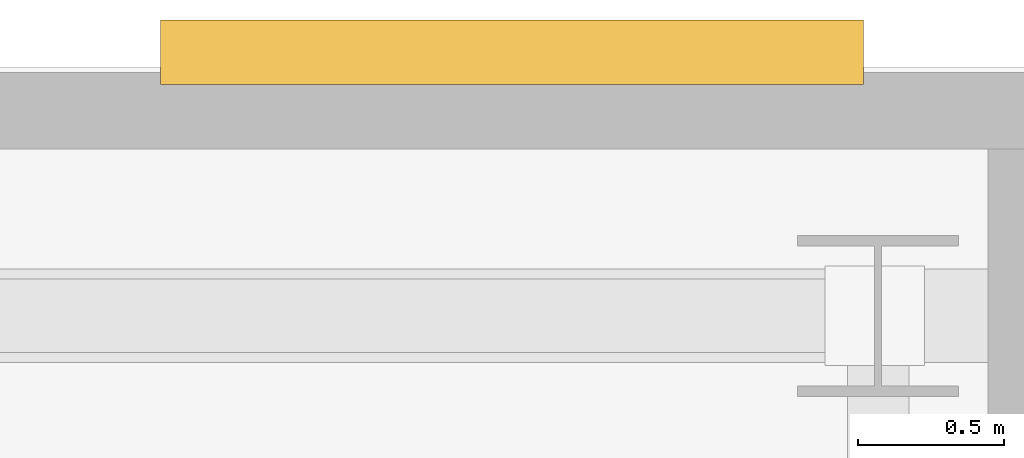
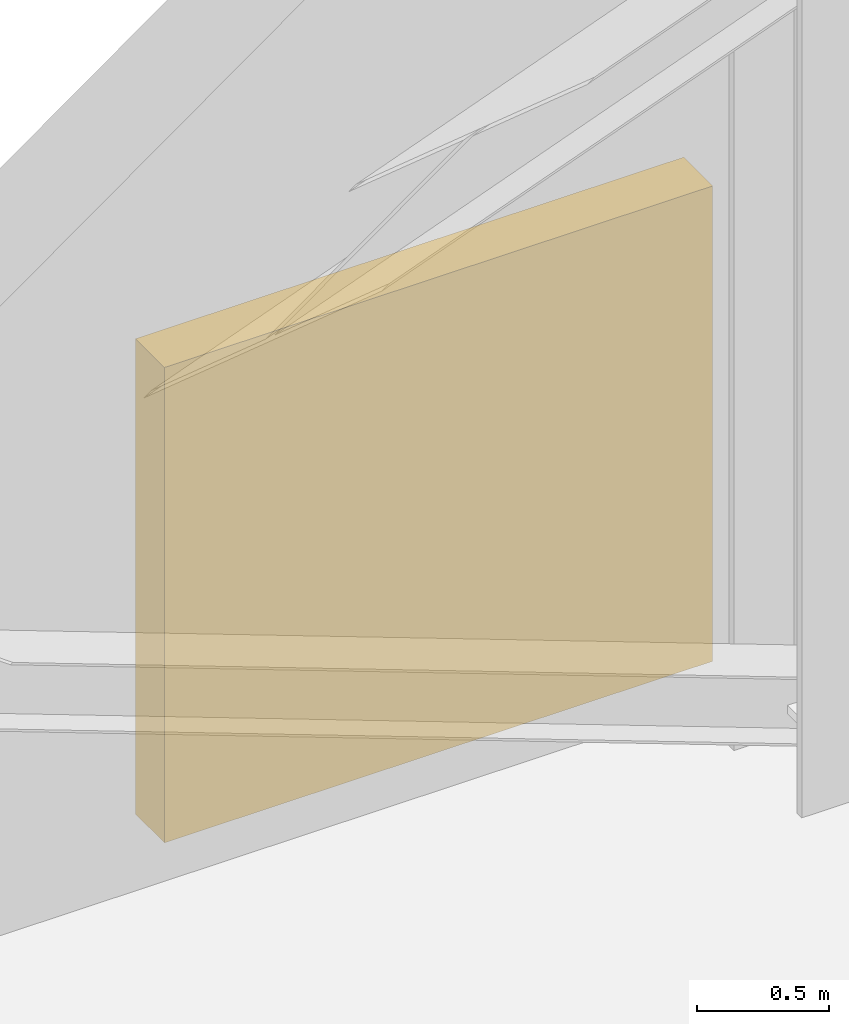
# One storey, part 8 of 8: 1 shading device.
"""IFC4 building model written with IfcOpenShell, lengths in metres."""

from ifc_helpers import new_model, si_unit, direction, frame, origin, origin_2d, place, context, subcontext, project, spatial, rectangle, extrude, material, type_object, element, save


model = new_model("IFC4")

# Units and contexts
model_context = context("Model", 3, precision=1e-05, world=origin(), true_north=direction((0.0, 1.0)))
body_context = subcontext(model_context, "Body", "Model", "MODEL_VIEW")
ifc_project = project(units=[si_unit("LENGTHUNIT", "METRE"), si_unit("AREAUNIT", "SQUARE_METRE"), si_unit("VOLUMEUNIT", "CUBIC_METRE"), si_unit("PLANEANGLEUNIT", "RADIAN"), si_unit("MASSUNIT", "GRAM", prefix="KILO")], contexts=[model_context])

# Site, building, storey
site_placement = place(None, origin())
site = spatial("IfcSite", under=ifc_project, at=site_placement, CompositionType="ELEMENT")
building_placement = place(site_placement, origin())
building = spatial("IfcBuilding", under=site, at=building_placement, Name="Velakula Bourse", CompositionType="ELEMENT")
storey_placement = place(building_placement, frame((0.0, 0.0, 243.0)))
storey = spatial("IfcBuildingStorey", under=building, at=storey_placement, Name="L66", CompositionType="ELEMENT", Elevation=243.0)

# Shading device
ifc_material = material(Name="Anodised bronze architectural aluminium", Category="aluminium")
shading_device_type = type_object("IfcShadingDeviceType", Name="SHD-JLS-2400", PredefinedType="JALOUSIE", material=ifc_material)
shading_device_placement = place(storey_placement, frame((-10.199951171875, 17.550048828125, 0.0), z_axis=(0.0, 0.0, 1.0), x_axis=(1.0, 0.0, 0.0)))
element("IfcShadingDevice", 1, at=shading_device_placement, inside=storey, type_object=shading_device_type, Name="L66 Mechanical Plant Acoustic Intake Louvre N", PredefinedType="JALOUSIE", context=body_context, shape_type="SweptSolid", body=[
    extrude(rectangle(XDim=2.39990234375, YDim=0.219970703125, at=origin_2d()), origin(), (0.0, 0.0, 1.0), 2.199951171875),
])

save(model, "model.ifc")
